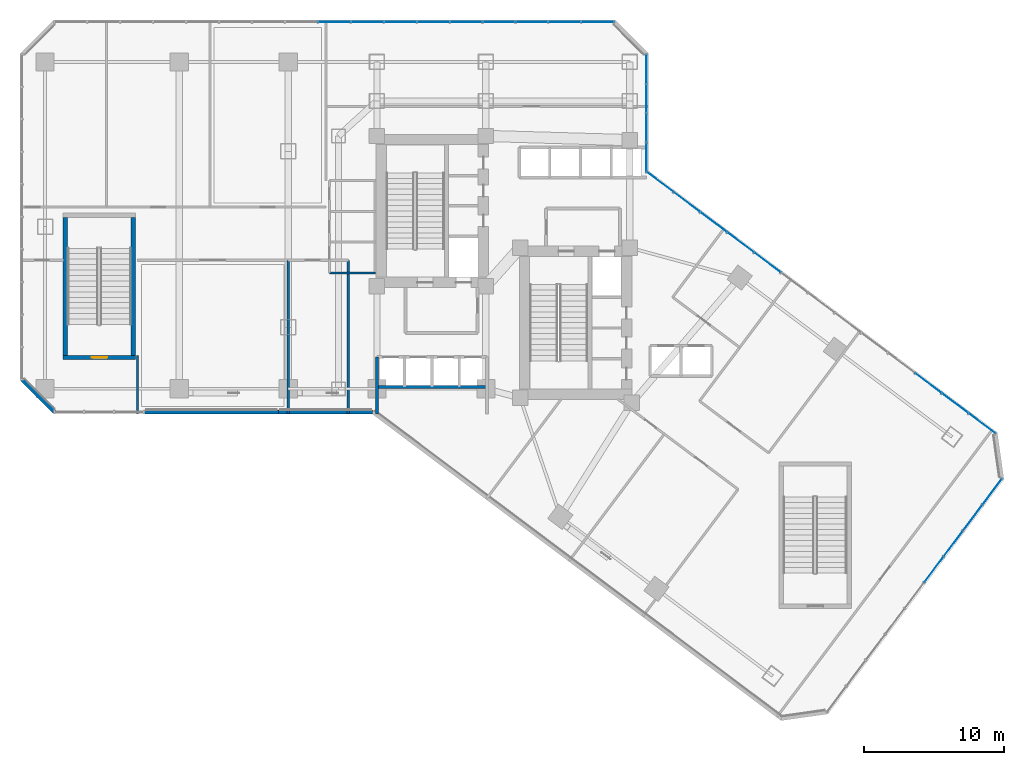
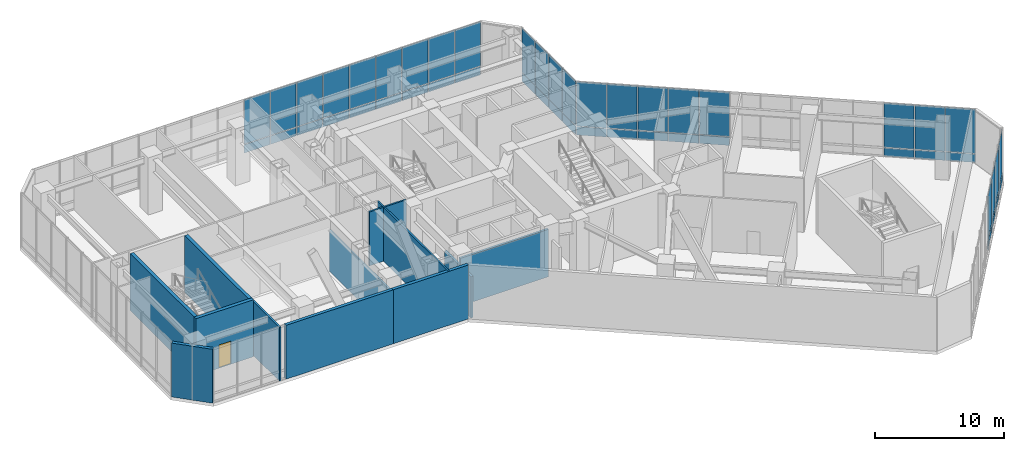
# One storey, part 26 of 35: 50 plates, 12 walls, 1 door, 1 opening, 4 elements without a shape of their own.
"""IFC4 building model written with IfcOpenShell, lengths in metres."""

import ifcopenshell
import ifcopenshell.guid

model = None  # the IFC model being written
_history = None  # IfcOwnerHistory: only IFC2X3 demands one
_inside = {}  # id of a spatial element -> (the spatial element, [elements in it])
_under = {}  # id of a project, library or spatial element -> (it, [spatial elements below it])
_declared = {}  # id of a project -> (the project, [libraries it declares])
_typed = {}  # id of a type object -> (the type object, [elements of that type])
_made_of = {}  # id of a material, layer set ... -> (it, [elements and type objects made of it])


def new_model(schema):
    """Start an empty IFC model of exactly this schema.

    Asked for "IFC4X3", IfcOpenShell would pick the latest addendum, in which some entities
    have other attributes; the version numbers below select the first issue.
    IFC2X3 requires an IfcOwnerHistory on every rooted entity: one is made here for all.
    """
    global model, _history
    if schema == "IFC4X3":
        model = ifcopenshell.file(schema_version=(4, 3, 0, 0))
    else:
        model = ifcopenshell.file(schema=schema)
    _inside.clear()
    _under.clear()
    _declared.clear()
    _typed.clear()
    _made_of.clear()
    _history = None
    if model.schema == "IFC2X3":
        org = make("IfcOrganization", Name="unknown")
        user = make(
            "IfcPersonAndOrganization",
            ThePerson=make("IfcPerson", FamilyName="unknown"),
            TheOrganization=org,
        )
        app = make(
            "IfcApplication",
            ApplicationDeveloper=org,
            Version="unknown",
            ApplicationFullName="unknown",
            ApplicationIdentifier="unknown",
        )
        _history = make(
            "IfcOwnerHistory",
            OwningUser=user,
            OwningApplication=app,
            ChangeAction="ADDED",
            CreationDate=0,
        )
    return model


def make(cls, **values):
    """One entity of the class cls with the attributes given. An attribute that is None is left unset."""
    return model.create_entity(
        cls, **{name: value for name, value in values.items() if value is not None}
    )


def rooted(cls, **values):
    """An entity with a GlobalId (a new one), such as an element, a storey or a relation."""
    return make(cls, GlobalId=ifcopenshell.guid.new(), OwnerHistory=_history, **values)


def si_unit(unit_type, name, prefix=None):
    """IfcSIUnit, for example si_unit("LENGTHUNIT", "METRE", prefix="MILLI")."""
    return make("IfcSIUnit", UnitType=unit_type, Prefix=prefix, Name=name)


def assignment(units):
    """IfcUnitAssignment: the units of a project."""
    return None if units is None else make("IfcUnitAssignment", Units=units)


def point(xyz):
    """IfcCartesianPoint."""
    return None if xyz is None else make("IfcCartesianPoint", Coordinates=xyz)


def direction(xyz):
    """IfcDirection."""
    return None if xyz is None else make("IfcDirection", DirectionRatios=xyz)


def frame(location, z_axis=None, x_axis=None):
    """IfcAxis2Placement3D, a coordinate frame: its origin and axes. An axis left out is left unset."""
    return make(
        "IfcAxis2Placement3D",
        Location=point(location),
        Axis=direction(z_axis),
        RefDirection=direction(x_axis),
    )


def frame_2d(location, x_axis=None):
    """IfcAxis2Placement2D, a coordinate frame in the plane: its origin and x axis."""
    return make(
        "IfcAxis2Placement2D", Location=point(location), RefDirection=direction(x_axis)
    )


def origin():
    """The frame at (0, 0, 0) with its axes left unset."""
    return frame((0.0, 0.0, 0.0))


def origin_2d():
    """The frame at (0, 0) in the plane with its x axis left unset."""
    return frame_2d((0.0, 0.0))


def place(relative_to, where):
    """IfcLocalPlacement: puts the frame where relative to a parent placement (None: the world)."""
    return make(
        "IfcLocalPlacement", PlacementRelTo=relative_to, RelativePlacement=where
    )


def context(
    kind, dimensions, precision=None, world=None, true_north=None, identifier=None
):
    """IfcGeometricRepresentationContext, for example the 3D "Model" context."""
    return make(
        "IfcGeometricRepresentationContext",
        ContextIdentifier=identifier,
        ContextType=kind,
        CoordinateSpaceDimension=dimensions,
        Precision=precision,
        WorldCoordinateSystem=world,
        TrueNorth=true_north,
    )


def subcontext(parent, identifier, kind, view, scale=None):
    """IfcGeometricRepresentationSubContext, for example "Body" below "Model"."""
    return make(
        "IfcGeometricRepresentationSubContext",
        ContextIdentifier=identifier,
        ContextType=kind,
        ParentContext=parent,
        TargetScale=scale,
        TargetView=view,
    )


def project(units=None, contexts=None):
    """IfcProject with its units and contexts."""
    return rooted(
        "IfcProject",
        Name="project",
        RepresentationContexts=contexts,
        UnitsInContext=assignment(units),
    )


def spatial(cls, under=None, at=None, **own):
    """A site, building, storey or space (cls), placed at a placement, below another one or the project."""
    s = rooted(cls, ObjectPlacement=at, **own)
    if under is not None:
        _under.setdefault(under.id(), (under, []))[1].append(s)
    return s


def profile(cls, at=None, kind="AREA", **sizes):
    """A parametric profile (cls). Its sizes go by their IFC names, for example OverallWidth=200.0."""
    return make(cls, ProfileType=kind, Position=at, **sizes)


def rectangle(**sizes):
    """IfcRectangleProfileDef."""
    return profile("IfcRectangleProfileDef", **sizes)


def extrude(swept, where, along, depth):
    """IfcExtrudedAreaSolid: the profile swept, set in the frame where, extruded along a direction by depth."""
    return make(
        "IfcExtrudedAreaSolid",
        SweptArea=swept,
        Position=where,
        ExtrudedDirection=direction(along),
        Depth=depth,
    )


def shape(context_of_items, identifier, shape_type, items):
    """IfcShapeRepresentation: the items that make up one representation, for example the "Body"."""
    return make(
        "IfcShapeRepresentation",
        ContextOfItems=context_of_items,
        RepresentationIdentifier=identifier,
        RepresentationType=shape_type,
        Items=items,
    )


def material(Name=None, Category=None):
    """IfcMaterial."""
    return make("IfcMaterial", Name=Name, Category=Category)


def layer(
    of_material, thickness, ventilated=None, Name=None, Category=None, Priority=None
):
    """IfcMaterialLayer: one layer of a wall or slab, of a material (None: an air gap)."""
    return make(
        "IfcMaterialLayer",
        Material=of_material,
        LayerThickness=thickness,
        IsVentilated=ventilated,
        Name=Name,
        Category=Category,
        Priority=Priority,
    )


def layer_set(layers, Name=None):
    """IfcMaterialLayerSet."""
    return make("IfcMaterialLayerSet", MaterialLayers=layers, LayerSetName=Name)


def made_of(thing, what):
    """Note that an element or type object is made of a material, layer set ...; save() writes the relation."""
    if what is not None:
        _made_of.setdefault(what.id(), (what, []))[1].append(thing)
    return thing


def type_object(cls, material=None, **own):
    """A type object (cls), such as IfcWallType, which elements share."""
    return made_of(rooted(cls, **own), material)


def element(
    cls,
    number,
    at=None,
    inside=None,
    cuts=None,
    type_object=None,
    material=None,
    context=None,
    identifier="Body",
    shape_type=None,
    held_by="IfcProductDefinitionShape",
    body=None,
    shapes=None,
    **own,
):
    """One element of the class cls, such as IfcWall. Its Tag is "e" and its number.

    at: its placement. inside: the storey or other place that contains it. cuts: it is an
    opening in that element (IfcRelVoidsElement). A single representation is given by context,
    identifier, shape_type and body (its items); several are given by shapes. held_by: the class
    of the entity that holds the representations. save() writes the other relations.
    """
    e = rooted(cls, Tag="e%d" % number, ObjectPlacement=at, **own)
    if body is not None:
        shapes = [shape(context, identifier, shape_type, body)]
    if shapes is not None:
        e.Representation = make(held_by, Representations=shapes)
    if inside is not None:
        _inside.setdefault(inside.id(), (inside, []))[1].append(e)
    if cuts is not None:
        rooted(
            "IfcRelVoidsElement", RelatingBuildingElement=cuts, RelatedOpeningElement=e
        )
    if type_object is not None:
        _typed.setdefault(type_object.id(), (type_object, []))[1].append(e)
    return made_of(e, material)


def fill(opening, filler):
    """IfcRelFillsElement: the door or window that sits in an opening."""
    return rooted(
        "IfcRelFillsElement",
        RelatingOpeningElement=opening,
        RelatedBuildingElement=filler,
    )


def aggregate(whole, parts):
    """IfcRelAggregates: a whole, such as a stair, and the parts it consists of."""
    return rooted("IfcRelAggregates", RelatingObject=whole, RelatedObjects=parts)


def save(model, path):
    """Write the relations noted so far, then the file.

    IfcRelAggregates (storeys below a building ...), IfcRelContainedInSpatialStructure (elements
    in a storey), IfcRelDefinesByType, IfcRelAssociatesMaterial and IfcRelDeclares: one each for
    every whole, place, type object, material and project.
    """
    for whole, parts in _under.values():
        aggregate(whole, parts)
    for where, things in _inside.values():
        rooted(
            "IfcRelContainedInSpatialStructure",
            RelatedElements=things,
            RelatingStructure=where,
        )
    for kind, things in _typed.values():
        rooted("IfcRelDefinesByType", RelatedObjects=things, RelatingType=kind)
    for what, things in _made_of.values():
        rooted("IfcRelAssociatesMaterial", RelatedObjects=things, RelatingMaterial=what)
    for by, libraries in _declared.values():
        rooted("IfcRelDeclares", RelatingContext=by, RelatedDefinitions=libraries)
    model.write(path)


model = new_model("IFC4")

# Units and contexts
model_context = context("Model", 3, precision=1e-05, world=origin(), true_north=direction((0.0, 1.0)))
body_context = subcontext(model_context, "Body", "Model", "MODEL_VIEW")
ifc_project = project(units=[si_unit("LENGTHUNIT", "METRE"), si_unit("AREAUNIT", "SQUARE_METRE"), si_unit("VOLUMEUNIT", "CUBIC_METRE"), si_unit("PLANEANGLEUNIT", "RADIAN"), si_unit("MASSUNIT", "GRAM", prefix="KILO")], contexts=[model_context])

# Site, building, storey
site_placement = place(None, origin())
site = spatial("IfcSite", under=ifc_project, at=site_placement, CompositionType="ELEMENT")
building_placement = place(site_placement, origin())
building = spatial("IfcBuilding", under=site, at=building_placement, Name="Hatsunagi Terrace Concourse", CompositionType="ELEMENT")
storey_placement = place(building_placement, frame((0.0, 0.0, 10.800048828125)))
storey = spatial("IfcBuildingStorey", under=building, at=storey_placement, Name="L03", CompositionType="ELEMENT", Elevation=10.800048828125)

# Curtain wall, plates
ifc_material_1 = material(Name="Anodised Aluminium Alloy 6063-T5", Category="aluminium")
ifc_layer_1 = layer(ifc_material_1, 0.199951171875)
ifc_layer_set_1 = layer_set([ifc_layer_1], Name="PodiumStorefront_CW01")
curtain_wall_type = type_object("IfcCurtainWallType", Name="PodiumStorefront_CW01", PredefinedType="NOTDEFINED", material=ifc_layer_set_1)
curtain_wall_1_placement = place(storey_placement, origin())
curtain_wall_1 = element("IfcCurtainWall", 1, at=curtain_wall_1_placement, inside=storey, type_object=curtain_wall_type, Name="Unitised Curtain Wall CW-01 CW-L03-01", PredefinedType="NOTDEFINED")
ifc_material_2 = material(Name="Warm Terracotta Ceramic Spandrel Panel", Category="masonry")
ifc_layer_2 = layer(ifc_material_2, 0.031982421875)
ifc_layer_set_2 = layer_set([ifc_layer_2], Name="CurtainWallSpandrelPanel_32")
plate_type_1 = type_object("IfcPlateType", Name="CurtainWallSpandrelPanel_32", PredefinedType="SHEET", material=ifc_layer_set_2)
plate_1_placement = place(storey_placement, frame((45.820068359375, 40.010009765625, 0.030029296875), z_axis=(0.0, 0.0, 1.0), x_axis=(0.800007305671, -0.599990258982, 0.0)))
plate_1 = element("IfcPlate", 2, at=plate_1_placement, type_object=plate_type_1, Name="Terracotta Spandrel Panel SPN-01", PredefinedType="SHEET", context=body_context, shape_type="SweptSolid", body=[
    extrude(rectangle(XDim=2.345947265625, YDim=0.031982421875, at=origin_2d()), origin(), (0.0, 0.0, 1.0), 0.7900390625),
])
plate_2_placement = place(storey_placement, frame((47.740966796875, 38.569091796875, 0.030029296875), z_axis=(0.0, 0.0, 1.0), x_axis=(0.800007305671, -0.599990258982, 0.0)))
plate_2 = element("IfcPlate", 3, at=plate_2_placement, type_object=plate_type_1, Name="Terracotta Spandrel Panel SPN-01", PredefinedType="SHEET", context=body_context, shape_type="SweptSolid", body=[
    extrude(rectangle(XDim=2.345947265625, YDim=0.031982421875, at=origin_2d()), origin(), (0.0, 0.0, 1.0), 0.7900390625),
])
plate_3_placement = place(storey_placement, frame((49.662109375, 37.12890625, 0.030029296875), z_axis=(0.0, 0.0, 1.0), x_axis=(0.800007305671, -0.599990258982, 0.0)))
plate_3 = element("IfcPlate", 4, at=plate_3_placement, type_object=plate_type_1, Name="Terracotta Spandrel Panel SPN-01", PredefinedType="SHEET", context=body_context, shape_type="SweptSolid", body=[
    extrude(rectangle(XDim=2.345947265625, YDim=0.031982421875, at=origin_2d()), origin(), (0.0, 0.0, 1.0), 0.7900390625),
])
plate_4_placement = place(storey_placement, frame((51.5830078125, 35.68798828125, 0.030029296875), z_axis=(0.0, 0.0, 1.0), x_axis=(0.800007305671, -0.599990258982, 0.0)))
plate_4 = element("IfcPlate", 5, at=plate_4_placement, type_object=plate_type_1, Name="Terracotta Spandrel Panel SPN-01", PredefinedType="SHEET", context=body_context, shape_type="SweptSolid", body=[
    extrude(rectangle(XDim=2.345947265625, YDim=0.031982421875, at=origin_2d()), origin(), (0.0, 0.0, 1.0), 0.7900390625),
])
plate_5_placement = place(storey_placement, frame((53.5029296875, 34.248046875, 0.030029296875), z_axis=(0.0, 0.0, 1.0), x_axis=(0.800007305671, -0.599990258982, 0.0)))
plate_5 = element("IfcPlate", 6, at=plate_5_placement, type_object=plate_type_1, Name="Terracotta Spandrel Panel SPN-01", PredefinedType="SHEET", context=body_context, shape_type="SweptSolid", body=[
    extrude(rectangle(XDim=2.345947265625, YDim=0.031982421875, at=origin_2d()), origin(), (0.0, 0.0, 1.0), 0.7900390625),
])
plate_6_placement = place(storey_placement, frame((65.028076171875, 25.60400390625, 0.030029296875), z_axis=(0.0, 0.0, 1.0), x_axis=(0.800007305671, -0.599990258982, 0.0)))
plate_6 = element("IfcPlate", 7, at=plate_6_placement, type_object=plate_type_1, Name="Terracotta Spandrel Panel SPN-01", PredefinedType="SHEET", context=body_context, shape_type="SweptSolid", body=[
    extrude(rectangle(XDim=2.345947265625, YDim=0.031982421875, at=origin_2d()), origin(), (0.0, 0.0, 1.0), 0.7900390625),
])
plate_7_placement = place(storey_placement, frame((66.948974609375, 24.1640625, 0.030029296875), z_axis=(0.0, 0.0, 1.0), x_axis=(0.800007305671, -0.599990258982, 0.0)))
plate_7 = element("IfcPlate", 8, at=plate_7_placement, type_object=plate_type_1, Name="Terracotta Spandrel Panel SPN-01", PredefinedType="SHEET", context=body_context, shape_type="SweptSolid", body=[
    extrude(rectangle(XDim=2.345947265625, YDim=0.031982421875, at=origin_2d()), origin(), (0.0, 0.0, 1.0), 0.7900390625),
])
plate_8_placement = place(storey_placement, frame((68.8701171875, 22.722900390625, 0.030029296875), z_axis=(0.0, 0.0, 1.0), x_axis=(0.800007305671, -0.599990258982, 0.0)))
plate_8 = element("IfcPlate", 9, at=plate_8_placement, type_object=plate_type_1, Name="Terracotta Spandrel Panel SPN-01", PredefinedType="SHEET", context=body_context, shape_type="SweptSolid", body=[
    extrude(rectangle(XDim=2.345947265625, YDim=0.031982421875, at=origin_2d()), origin(), (0.0, 0.0, 1.0), 0.7900390625),
])

curtain_wall_2_placement = place(storey_placement, origin())
curtain_wall_2 = element("IfcCurtainWall", 10, at=curtain_wall_2_placement, inside=storey, type_object=curtain_wall_type, Name="Unitised Curtain Wall CW-01 CW-L03-03", PredefinedType="NOTDEFINED")
plate_9_placement = place(storey_placement, frame((69.596923828125, 17.830078125, 0.030029296875), z_axis=(0.0, 0.0, 1.0), x_axis=(-0.599969314634, -0.800023013105, 0.0)))
plate_9 = element("IfcPlate", 11, at=plate_9_placement, type_object=plate_type_1, Name="Terracotta Spandrel Panel SPN-01", PredefinedType="SHEET", context=body_context, shape_type="SweptSolid", body=[
    extrude(rectangle(XDim=2.264892578125, YDim=0.031982421875, at=origin_2d()), origin(), (0.0, 0.0, 1.0), 0.7900390625),
])
plate_10_placement = place(storey_placement, frame((68.205078125, 15.972900390625, 0.030029296875), z_axis=(0.0, 0.0, 1.0), x_axis=(-0.599969314634, -0.800023013105, 0.0)))
plate_10 = element("IfcPlate", 12, at=plate_10_placement, type_object=plate_type_1, Name="Terracotta Spandrel Panel SPN-01", PredefinedType="SHEET", context=body_context, shape_type="SweptSolid", body=[
    extrude(rectangle(XDim=2.264892578125, YDim=0.031982421875, at=origin_2d()), origin(), (0.0, 0.0, 1.0), 0.7900390625),
])
plate_11_placement = place(storey_placement, frame((66.81201171875, 14.116943359375, 0.030029296875), z_axis=(0.0, 0.0, 1.0), x_axis=(-0.599969314634, -0.800023013105, 0.0)))
plate_11 = element("IfcPlate", 13, at=plate_11_placement, type_object=plate_type_1, Name="Terracotta Spandrel Panel SPN-01", PredefinedType="SHEET", context=body_context, shape_type="SweptSolid", body=[
    extrude(rectangle(XDim=2.264892578125, YDim=0.031982421875, at=origin_2d()), origin(), (0.0, 0.0, 1.0), 0.7900390625),
])
plate_12_placement = place(storey_placement, frame((65.419921875, 12.260009765625, 0.030029296875), z_axis=(0.0, 0.0, 1.0), x_axis=(-0.599969314634, -0.800023013105, 0.0)))
plate_12 = element("IfcPlate", 14, at=plate_12_placement, type_object=plate_type_1, Name="Terracotta Spandrel Panel SPN-01", PredefinedType="SHEET", context=body_context, shape_type="SweptSolid", body=[
    extrude(rectangle(XDim=2.264892578125, YDim=0.031982421875, at=origin_2d()), origin(), (0.0, 0.0, 1.0), 0.7900390625),
])

curtain_wall_3_placement = place(storey_placement, origin())
curtain_wall_3 = element("IfcCurtainWall", 15, at=curtain_wall_3_placement, inside=storey, type_object=curtain_wall_type, Name="Unitised Curtain Wall CW-01 CW-L03-12", PredefinedType="NOTDEFINED")
plate_13_placement = place(storey_placement, frame((22.5, 51.4599609375, 0.030029296875), z_axis=(0.0, 0.0, 1.0), x_axis=(1.0, 0.0, 0.0)))
plate_13 = element("IfcPlate", 16, at=plate_13_placement, type_object=plate_type_1, Name="Terracotta Spandrel Panel SPN-01", PredefinedType="SHEET", context=body_context, shape_type="SweptSolid", body=[
    extrude(rectangle(XDim=2.302978515625, YDim=0.031982421875, at=origin_2d()), origin(), (0.0, 0.0, 1.0), 0.7900390625),
])
plate_14_placement = place(storey_placement, frame((24.85791015625, 51.4599609375, 0.030029296875), z_axis=(0.0, 0.0, 1.0), x_axis=(1.0, 0.0, 0.0)))
plate_14 = element("IfcPlate", 17, at=plate_14_placement, type_object=plate_type_1, Name="Terracotta Spandrel Panel SPN-01", PredefinedType="SHEET", context=body_context, shape_type="SweptSolid", body=[
    extrude(rectangle(XDim=2.302978515625, YDim=0.031982421875, at=origin_2d()), origin(), (0.0, 0.0, 1.0), 0.7900390625),
])
plate_15_placement = place(storey_placement, frame((27.216064453125, 51.4599609375, 0.030029296875), z_axis=(0.0, 0.0, 1.0), x_axis=(1.0, 0.0, 0.0)))
plate_15 = element("IfcPlate", 18, at=plate_15_placement, type_object=plate_type_1, Name="Terracotta Spandrel Panel SPN-01", PredefinedType="SHEET", context=body_context, shape_type="SweptSolid", body=[
    extrude(rectangle(XDim=2.302978515625, YDim=0.031982421875, at=origin_2d()), origin(), (0.0, 0.0, 1.0), 0.7900390625),
])
plate_16_placement = place(storey_placement, frame((29.573974609375, 51.4599609375, 0.030029296875), z_axis=(0.0, 0.0, 1.0), x_axis=(1.0, 0.0, 0.0)))
plate_16 = element("IfcPlate", 19, at=plate_16_placement, type_object=plate_type_1, Name="Terracotta Spandrel Panel SPN-01", PredefinedType="SHEET", context=body_context, shape_type="SweptSolid", body=[
    extrude(rectangle(XDim=2.302978515625, YDim=0.031982421875, at=origin_2d()), origin(), (0.0, 0.0, 1.0), 0.7900390625),
])
plate_17_placement = place(storey_placement, frame((31.931884765625, 51.4599609375, 0.030029296875), z_axis=(0.0, 0.0, 1.0), x_axis=(1.0, 0.0, 0.0)))
plate_17 = element("IfcPlate", 20, at=plate_17_placement, type_object=plate_type_1, Name="Terracotta Spandrel Panel SPN-01", PredefinedType="SHEET", context=body_context, shape_type="SweptSolid", body=[
    extrude(rectangle(XDim=2.302978515625, YDim=0.031982421875, at=origin_2d()), origin(), (0.0, 0.0, 1.0), 0.7900390625),
])
plate_18_placement = place(storey_placement, frame((34.2890625, 51.4599609375, 0.030029296875), z_axis=(0.0, 0.0, 1.0), x_axis=(1.0, 0.0, 0.0)))
plate_18 = element("IfcPlate", 21, at=plate_18_placement, type_object=plate_type_1, Name="Terracotta Spandrel Panel SPN-01", PredefinedType="SHEET", context=body_context, shape_type="SweptSolid", body=[
    extrude(rectangle(XDim=2.302978515625, YDim=0.031982421875, at=origin_2d()), origin(), (0.0, 0.0, 1.0), 0.7900390625),
])
plate_19_placement = place(storey_placement, frame((36.64697265625, 51.4599609375, 0.030029296875), z_axis=(0.0, 0.0, 1.0), x_axis=(1.0, 0.0, 0.0)))
plate_19 = element("IfcPlate", 22, at=plate_19_placement, type_object=plate_type_1, Name="Terracotta Spandrel Panel SPN-01", PredefinedType="SHEET", context=body_context, shape_type="SweptSolid", body=[
    extrude(rectangle(XDim=2.302978515625, YDim=0.031982421875, at=origin_2d()), origin(), (0.0, 0.0, 1.0), 0.7900390625),
])
plate_20_placement = place(storey_placement, frame((39.0048828125, 51.4599609375, 0.030029296875), z_axis=(0.0, 0.0, 1.0), x_axis=(1.0, 0.0, 0.0)))
plate_20 = element("IfcPlate", 23, at=plate_20_placement, type_object=plate_type_1, Name="Terracotta Spandrel Panel SPN-01", PredefinedType="SHEET", context=body_context, shape_type="SweptSolid", body=[
    extrude(rectangle(XDim=2.302978515625, YDim=0.031982421875, at=origin_2d()), origin(), (0.0, 0.0, 1.0), 0.7900390625),
])
plate_21_placement = place(storey_placement, frame((41.363037109375, 51.4599609375, 0.030029296875), z_axis=(0.0, 0.0, 1.0), x_axis=(1.0, 0.0, 0.0)))
plate_21 = element("IfcPlate", 24, at=plate_21_placement, type_object=plate_type_1, Name="Terracotta Spandrel Panel SPN-01", PredefinedType="SHEET", context=body_context, shape_type="SweptSolid", body=[
    extrude(rectangle(XDim=2.302978515625, YDim=0.031982421875, at=origin_2d()), origin(), (0.0, 0.0, 1.0), 0.7900390625),
])

curtain_wall_4_placement = place(storey_placement, origin())
curtain_wall_4 = element("IfcCurtainWall", 25, at=curtain_wall_4_placement, inside=storey, type_object=curtain_wall_type, Name="Unitised Curtain Wall CW-01 CW-L03-14", PredefinedType="NOTDEFINED")
plate_22_placement = place(storey_placement, frame((44.860107421875, 48.091064453125, 0.030029296875), z_axis=(0.0, 0.0, 1.0), x_axis=(0.0, -1.0, 0.0)))
plate_22 = element("IfcPlate", 26, at=plate_22_placement, type_object=plate_type_1, Name="Terracotta Spandrel Panel SPN-01", PredefinedType="SHEET", context=body_context, shape_type="SweptSolid", body=[
    extrude(rectangle(XDim=2.048095703125, YDim=0.031982421875, at=origin_2d()), origin(), (0.0, 0.0, 1.0), 0.7900390625),
])
plate_23_placement = place(storey_placement, frame((44.860107421875, 45.987060546875, 0.030029296875), z_axis=(0.0, 0.0, 1.0), x_axis=(0.0, -1.0, 0.0)))
plate_23 = element("IfcPlate", 27, at=plate_23_placement, type_object=plate_type_1, Name="Terracotta Spandrel Panel SPN-01", PredefinedType="SHEET", context=body_context, shape_type="SweptSolid", body=[
    extrude(rectangle(XDim=2.048095703125, YDim=0.031982421875, at=origin_2d()), origin(), (0.0, 0.0, 1.0), 0.7900390625),
])
plate_24_placement = place(storey_placement, frame((44.860107421875, 43.885009765625, 0.030029296875), z_axis=(0.0, 0.0, 1.0), x_axis=(0.0, -1.0, 0.0)))
plate_24 = element("IfcPlate", 28, at=plate_24_placement, type_object=plate_type_1, Name="Terracotta Spandrel Panel SPN-01", PredefinedType="SHEET", context=body_context, shape_type="SweptSolid", body=[
    extrude(rectangle(XDim=2.048095703125, YDim=0.031982421875, at=origin_2d()), origin(), (0.0, 0.0, 1.0), 0.7900390625),
])
plate_25_placement = place(storey_placement, frame((44.860107421875, 41.781005859375, 0.030029296875), z_axis=(0.0, 0.0, 1.0), x_axis=(0.0, -1.0, 0.0)))
plate_25 = element("IfcPlate", 29, at=plate_25_placement, type_object=plate_type_1, Name="Terracotta Spandrel Panel SPN-01", PredefinedType="SHEET", context=body_context, shape_type="SweptSolid", body=[
    extrude(rectangle(XDim=2.048095703125, YDim=0.031982421875, at=origin_2d()), origin(), (0.0, 0.0, 1.0), 0.7900390625),
])

# Plate
ifc_material_3 = material(Name="Low-E Double Insulating Glass 28mm", Category="glass")
ifc_layer_3 = layer(ifc_material_3, 0.028076171875)
ifc_layer_set_3 = layer_set([ifc_layer_3], Name="CurtainWallVisionGlass_28")
plate_type_2 = type_object("IfcPlateType", Name="CurtainWallVisionGlass_28", PredefinedType="CURTAIN_PANEL", material=ifc_layer_set_3)
plate_26_placement = place(storey_placement, frame((45.820068359375, 40.010009765625, 0.8798828125), z_axis=(0.0, 0.0, 1.0), x_axis=(0.800007305671, -0.599990258982, 0.0)))
plate_26 = element("IfcPlate", 30, at=plate_26_placement, type_object=plate_type_2, Name="Low-E Vision Glass Panel GLZ-01", PredefinedType="CURTAIN_PANEL", context=body_context, shape_type="SweptSolid", body=[
    extrude(rectangle(XDim=2.345947265625, YDim=0.028076171875, at=origin_2d()), origin(), (0.0, 0.0, 1.0), 4.18994140625),
])

plate_27_placement = place(storey_placement, frame((47.740966796875, 38.569091796875, 0.8798828125), z_axis=(0.0, 0.0, 1.0), x_axis=(0.800007305671, -0.599990258982, 0.0)))
plate_27 = element("IfcPlate", 31, at=plate_27_placement, type_object=plate_type_2, Name="Low-E Vision Glass Panel GLZ-01", PredefinedType="CURTAIN_PANEL", context=body_context, shape_type="SweptSolid", body=[
    extrude(rectangle(XDim=2.345947265625, YDim=0.028076171875, at=origin_2d()), origin(), (0.0, 0.0, 1.0), 4.18994140625),
])

plate_28_placement = place(storey_placement, frame((49.662109375, 37.12890625, 0.8798828125), z_axis=(0.0, 0.0, 1.0), x_axis=(0.800007305671, -0.599990258982, 0.0)))
plate_28 = element("IfcPlate", 32, at=plate_28_placement, type_object=plate_type_2, Name="Low-E Vision Glass Panel GLZ-01", PredefinedType="CURTAIN_PANEL", context=body_context, shape_type="SweptSolid", body=[
    extrude(rectangle(XDim=2.345947265625, YDim=0.028076171875, at=origin_2d()), origin(), (0.0, 0.0, 1.0), 4.18994140625),
])

plate_29_placement = place(storey_placement, frame((51.5830078125, 35.68798828125, 0.8798828125), z_axis=(0.0, 0.0, 1.0), x_axis=(0.800007305671, -0.599990258982, 0.0)))
plate_29 = element("IfcPlate", 33, at=plate_29_placement, type_object=plate_type_2, Name="Low-E Vision Glass Panel GLZ-01", PredefinedType="CURTAIN_PANEL", context=body_context, shape_type="SweptSolid", body=[
    extrude(rectangle(XDim=2.345947265625, YDim=0.028076171875, at=origin_2d()), origin(), (0.0, 0.0, 1.0), 4.18994140625),
])

plate_30_placement = place(storey_placement, frame((53.5029296875, 34.248046875, 0.8798828125), z_axis=(0.0, 0.0, 1.0), x_axis=(0.800007305671, -0.599990258982, 0.0)))
plate_30 = element("IfcPlate", 34, at=plate_30_placement, type_object=plate_type_2, Name="Low-E Vision Glass Panel GLZ-01", PredefinedType="CURTAIN_PANEL", context=body_context, shape_type="SweptSolid", body=[
    extrude(rectangle(XDim=2.345947265625, YDim=0.028076171875, at=origin_2d()), origin(), (0.0, 0.0, 1.0), 4.18994140625),
])

plate_31_placement = place(storey_placement, frame((65.028076171875, 25.60400390625, 0.8798828125), z_axis=(0.0, 0.0, 1.0), x_axis=(0.800007305671, -0.599990258982, 0.0)))
plate_31 = element("IfcPlate", 35, at=plate_31_placement, type_object=plate_type_2, Name="Low-E Vision Glass Panel GLZ-01", PredefinedType="CURTAIN_PANEL", context=body_context, shape_type="SweptSolid", body=[
    extrude(rectangle(XDim=2.345947265625, YDim=0.028076171875, at=origin_2d()), origin(), (0.0, 0.0, 1.0), 4.18994140625),
])

plate_32_placement = place(storey_placement, frame((66.948974609375, 24.1640625, 0.8798828125), z_axis=(0.0, 0.0, 1.0), x_axis=(0.800007305671, -0.599990258982, 0.0)))
plate_32 = element("IfcPlate", 36, at=plate_32_placement, type_object=plate_type_2, Name="Low-E Vision Glass Panel GLZ-01", PredefinedType="CURTAIN_PANEL", context=body_context, shape_type="SweptSolid", body=[
    extrude(rectangle(XDim=2.345947265625, YDim=0.028076171875, at=origin_2d()), origin(), (0.0, 0.0, 1.0), 4.18994140625),
])

plate_33_placement = place(storey_placement, frame((68.8701171875, 22.722900390625, 0.8798828125), z_axis=(0.0, 0.0, 1.0), x_axis=(0.800007305671, -0.599990258982, 0.0)))
plate_33 = element("IfcPlate", 37, at=plate_33_placement, type_object=plate_type_2, Name="Low-E Vision Glass Panel GLZ-01", PredefinedType="CURTAIN_PANEL", context=body_context, shape_type="SweptSolid", body=[
    extrude(rectangle(XDim=2.345947265625, YDim=0.028076171875, at=origin_2d()), origin(), (0.0, 0.0, 1.0), 4.18994140625),
])

aggregate(curtain_wall_1, [plate_1, plate_26, plate_2, plate_27, plate_3, plate_28, plate_4, plate_29, plate_5, plate_30, plate_6, plate_31, plate_7, plate_32, plate_8, plate_33])

plate_34_placement = place(storey_placement, frame((69.596923828125, 17.830078125, 0.8798828125), z_axis=(0.0, 0.0, 1.0), x_axis=(-0.599969314634, -0.800023013105, 0.0)))
plate_34 = element("IfcPlate", 38, at=plate_34_placement, type_object=plate_type_2, Name="Low-E Vision Glass Panel GLZ-01", PredefinedType="CURTAIN_PANEL", context=body_context, shape_type="SweptSolid", body=[
    extrude(rectangle(XDim=2.264892578125, YDim=0.028076171875, at=origin_2d()), origin(), (0.0, 0.0, 1.0), 4.18994140625),
])

plate_35_placement = place(storey_placement, frame((68.205078125, 15.972900390625, 0.8798828125), z_axis=(0.0, 0.0, 1.0), x_axis=(-0.599969314634, -0.800023013105, 0.0)))
plate_35 = element("IfcPlate", 39, at=plate_35_placement, type_object=plate_type_2, Name="Low-E Vision Glass Panel GLZ-01", PredefinedType="CURTAIN_PANEL", context=body_context, shape_type="SweptSolid", body=[
    extrude(rectangle(XDim=2.264892578125, YDim=0.028076171875, at=origin_2d()), origin(), (0.0, 0.0, 1.0), 4.18994140625),
])

plate_36_placement = place(storey_placement, frame((66.81201171875, 14.116943359375, 0.8798828125), z_axis=(0.0, 0.0, 1.0), x_axis=(-0.599969314634, -0.800023013105, 0.0)))
plate_36 = element("IfcPlate", 40, at=plate_36_placement, type_object=plate_type_2, Name="Low-E Vision Glass Panel GLZ-01", PredefinedType="CURTAIN_PANEL", context=body_context, shape_type="SweptSolid", body=[
    extrude(rectangle(XDim=2.264892578125, YDim=0.028076171875, at=origin_2d()), origin(), (0.0, 0.0, 1.0), 4.18994140625),
])

plate_37_placement = place(storey_placement, frame((65.419921875, 12.260009765625, 0.8798828125), z_axis=(0.0, 0.0, 1.0), x_axis=(-0.599969314634, -0.800023013105, 0.0)))
plate_37 = element("IfcPlate", 41, at=plate_37_placement, type_object=plate_type_2, Name="Low-E Vision Glass Panel GLZ-01", PredefinedType="CURTAIN_PANEL", context=body_context, shape_type="SweptSolid", body=[
    extrude(rectangle(XDim=2.264892578125, YDim=0.028076171875, at=origin_2d()), origin(), (0.0, 0.0, 1.0), 4.18994140625),
])

aggregate(curtain_wall_2, [plate_9, plate_34, plate_10, plate_35, plate_11, plate_36, plate_12, plate_37])

plate_38_placement = place(storey_placement, frame((22.5, 51.4599609375, 0.8798828125), z_axis=(0.0, 0.0, 1.0), x_axis=(1.0, 0.0, 0.0)))
plate_38 = element("IfcPlate", 42, at=plate_38_placement, type_object=plate_type_2, Name="Low-E Vision Glass Panel GLZ-01", PredefinedType="CURTAIN_PANEL", context=body_context, shape_type="SweptSolid", body=[
    extrude(rectangle(XDim=2.302978515625, YDim=0.028076171875, at=origin_2d()), origin(), (0.0, 0.0, 1.0), 4.18994140625),
])

plate_39_placement = place(storey_placement, frame((24.85791015625, 51.4599609375, 0.8798828125), z_axis=(0.0, 0.0, 1.0), x_axis=(1.0, 0.0, 0.0)))
plate_39 = element("IfcPlate", 43, at=plate_39_placement, type_object=plate_type_2, Name="Low-E Vision Glass Panel GLZ-01", PredefinedType="CURTAIN_PANEL", context=body_context, shape_type="SweptSolid", body=[
    extrude(rectangle(XDim=2.302978515625, YDim=0.028076171875, at=origin_2d()), origin(), (0.0, 0.0, 1.0), 4.18994140625),
])

plate_40_placement = place(storey_placement, frame((27.216064453125, 51.4599609375, 0.8798828125), z_axis=(0.0, 0.0, 1.0), x_axis=(1.0, 0.0, 0.0)))
plate_40 = element("IfcPlate", 44, at=plate_40_placement, type_object=plate_type_2, Name="Low-E Vision Glass Panel GLZ-01", PredefinedType="CURTAIN_PANEL", context=body_context, shape_type="SweptSolid", body=[
    extrude(rectangle(XDim=2.302978515625, YDim=0.028076171875, at=origin_2d()), origin(), (0.0, 0.0, 1.0), 4.18994140625),
])

plate_41_placement = place(storey_placement, frame((29.573974609375, 51.4599609375, 0.8798828125), z_axis=(0.0, 0.0, 1.0), x_axis=(1.0, 0.0, 0.0)))
plate_41 = element("IfcPlate", 45, at=plate_41_placement, type_object=plate_type_2, Name="Low-E Vision Glass Panel GLZ-01", PredefinedType="CURTAIN_PANEL", context=body_context, shape_type="SweptSolid", body=[
    extrude(rectangle(XDim=2.302978515625, YDim=0.028076171875, at=origin_2d()), origin(), (0.0, 0.0, 1.0), 4.18994140625),
])

plate_42_placement = place(storey_placement, frame((31.931884765625, 51.4599609375, 0.8798828125), z_axis=(0.0, 0.0, 1.0), x_axis=(1.0, 0.0, 0.0)))
plate_42 = element("IfcPlate", 46, at=plate_42_placement, type_object=plate_type_2, Name="Low-E Vision Glass Panel GLZ-01", PredefinedType="CURTAIN_PANEL", context=body_context, shape_type="SweptSolid", body=[
    extrude(rectangle(XDim=2.302978515625, YDim=0.028076171875, at=origin_2d()), origin(), (0.0, 0.0, 1.0), 4.18994140625),
])

plate_43_placement = place(storey_placement, frame((34.2890625, 51.4599609375, 0.8798828125), z_axis=(0.0, 0.0, 1.0), x_axis=(1.0, 0.0, 0.0)))
plate_43 = element("IfcPlate", 47, at=plate_43_placement, type_object=plate_type_2, Name="Low-E Vision Glass Panel GLZ-01", PredefinedType="CURTAIN_PANEL", context=body_context, shape_type="SweptSolid", body=[
    extrude(rectangle(XDim=2.302978515625, YDim=0.028076171875, at=origin_2d()), origin(), (0.0, 0.0, 1.0), 4.18994140625),
])

plate_44_placement = place(storey_placement, frame((36.64697265625, 51.4599609375, 0.8798828125), z_axis=(0.0, 0.0, 1.0), x_axis=(1.0, 0.0, 0.0)))
plate_44 = element("IfcPlate", 48, at=plate_44_placement, type_object=plate_type_2, Name="Low-E Vision Glass Panel GLZ-01", PredefinedType="CURTAIN_PANEL", context=body_context, shape_type="SweptSolid", body=[
    extrude(rectangle(XDim=2.302978515625, YDim=0.028076171875, at=origin_2d()), origin(), (0.0, 0.0, 1.0), 4.18994140625),
])

plate_45_placement = place(storey_placement, frame((39.0048828125, 51.4599609375, 0.8798828125), z_axis=(0.0, 0.0, 1.0), x_axis=(1.0, 0.0, 0.0)))
plate_45 = element("IfcPlate", 49, at=plate_45_placement, type_object=plate_type_2, Name="Low-E Vision Glass Panel GLZ-01", PredefinedType="CURTAIN_PANEL", context=body_context, shape_type="SweptSolid", body=[
    extrude(rectangle(XDim=2.302978515625, YDim=0.028076171875, at=origin_2d()), origin(), (0.0, 0.0, 1.0), 4.18994140625),
])

plate_46_placement = place(storey_placement, frame((41.363037109375, 51.4599609375, 0.8798828125), z_axis=(0.0, 0.0, 1.0), x_axis=(1.0, 0.0, 0.0)))
plate_46 = element("IfcPlate", 50, at=plate_46_placement, type_object=plate_type_2, Name="Low-E Vision Glass Panel GLZ-01", PredefinedType="CURTAIN_PANEL", context=body_context, shape_type="SweptSolid", body=[
    extrude(rectangle(XDim=2.302978515625, YDim=0.028076171875, at=origin_2d()), origin(), (0.0, 0.0, 1.0), 4.18994140625),
])

aggregate(curtain_wall_3, [plate_13, plate_38, plate_14, plate_39, plate_15, plate_40, plate_16, plate_41, plate_17, plate_42, plate_18, plate_43, plate_19, plate_44, plate_20, plate_45, plate_21, plate_46])

plate_47_placement = place(storey_placement, frame((44.860107421875, 48.091064453125, 0.8798828125), z_axis=(0.0, 0.0, 1.0), x_axis=(0.0, -1.0, 0.0)))
plate_47 = element("IfcPlate", 51, at=plate_47_placement, type_object=plate_type_2, Name="Low-E Vision Glass Panel GLZ-01", PredefinedType="CURTAIN_PANEL", context=body_context, shape_type="SweptSolid", body=[
    extrude(rectangle(XDim=2.048095703125, YDim=0.028076171875, at=origin_2d()), origin(), (0.0, 0.0, 1.0), 4.18994140625),
])

plate_48_placement = place(storey_placement, frame((44.860107421875, 45.987060546875, 0.8798828125), z_axis=(0.0, 0.0, 1.0), x_axis=(0.0, -1.0, 0.0)))
plate_48 = element("IfcPlate", 52, at=plate_48_placement, type_object=plate_type_2, Name="Low-E Vision Glass Panel GLZ-01", PredefinedType="CURTAIN_PANEL", context=body_context, shape_type="SweptSolid", body=[
    extrude(rectangle(XDim=2.048095703125, YDim=0.028076171875, at=origin_2d()), origin(), (0.0, 0.0, 1.0), 4.18994140625),
])

plate_49_placement = place(storey_placement, frame((44.860107421875, 43.885009765625, 0.8798828125), z_axis=(0.0, 0.0, 1.0), x_axis=(0.0, -1.0, 0.0)))
plate_49 = element("IfcPlate", 53, at=plate_49_placement, type_object=plate_type_2, Name="Low-E Vision Glass Panel GLZ-01", PredefinedType="CURTAIN_PANEL", context=body_context, shape_type="SweptSolid", body=[
    extrude(rectangle(XDim=2.048095703125, YDim=0.028076171875, at=origin_2d()), origin(), (0.0, 0.0, 1.0), 4.18994140625),
])

plate_50_placement = place(storey_placement, frame((44.860107421875, 41.781005859375, 0.8798828125), z_axis=(0.0, 0.0, 1.0), x_axis=(0.0, -1.0, 0.0)))
plate_50 = element("IfcPlate", 54, at=plate_50_placement, type_object=plate_type_2, Name="Low-E Vision Glass Panel GLZ-01", PredefinedType="CURTAIN_PANEL", context=body_context, shape_type="SweptSolid", body=[
    extrude(rectangle(XDim=2.048095703125, YDim=0.028076171875, at=origin_2d()), origin(), (0.0, 0.0, 1.0), 4.18994140625),
])

aggregate(curtain_wall_4, [plate_22, plate_47, plate_23, plate_48, plate_24, plate_49, plate_25, plate_50])

# Wall, opening, door
ifc_material_4 = material(Name="Concrete Fc48", Category="concrete")
ifc_layer_4 = layer(ifc_material_4, 0.300048828125)
ifc_layer_set_4 = layer_set([ifc_layer_4], Name="CoreStairDivider_Fc48_300")
wall_type_1 = type_object("IfcWallType", Name="CoreStairDivider_Fc48_300", PredefinedType="SHEAR", material=ifc_layer_set_4)
wall_1_placement = place(storey_placement, frame((3.090087890625, 27.43994140625, 0.0), z_axis=(0.0, 0.0, 1.0), x_axis=(1.0, 0.0, 0.0)))
wall_1 = element("IfcWall", 55, at=wall_1_placement, inside=storey, type_object=wall_type_1, Name="Podium Stair P1 Shear Wall S L03", PredefinedType="SHEAR", context=body_context, shape_type="SweptSolid", body=[
    extrude(rectangle(XDim=5.169921875, YDim=0.300048828125, at=frame_2d((2.5849609375, 0.0))), origin(), (0.0, 0.0, 1.0), 5.39990234375),
])
opening_placement = place(wall_1_placement, frame((2.06005859375, 0.0, 0.0)))
opening = element("IfcOpeningElement", 56, at=opening_placement, cuts=wall_1, Name="Opening DR-110S", PredefinedType="OPENING", context=body_context, shape_type="SweptSolid", body=[
    extrude(rectangle(XDim=1.10009765625, YDim=2.199951171875, at=frame_2d((0.550048828125, 1.10009765625))), frame((0.0, 0.159912109375, 0.0), z_axis=(0.0, -1.0, 0.0), x_axis=(1.0, 0.0, 0.0)), (0.0, 0.0, 1.0), 0.320068359375),
])
ifc_material_5 = material(Name="Painted steel", Category="steel")
door_type = type_object("IfcDoorType", Name="StairFireDoor_EI60_1100", OperationType="NOTDEFINED", PredefinedType="DOOR", material=ifc_material_5)
door_placement = place(opening_placement, origin())
door = element("IfcDoor", 57, at=door_placement, inside=storey, type_object=door_type, Name="Stair ST-P1 Exit Door L03", OperationType="SINGLE_SWING_LEFT", OverallHeight=2.199951171875, OverallWidth=1.10009765625, PredefinedType="DOOR", context=body_context, shape_type="SweptSolid", body=[
    extrude(rectangle(XDim=1.10009765625, YDim=2.199951171875, at=frame_2d((0.550048828125, 1.10009765625))), frame((0.0, 0.02490234375, 0.0), z_axis=(0.0, -1.0, 0.0), x_axis=(1.0, 0.0, 0.0)), (0.0, 0.0, 1.0), 0.050048828125),
])
fill(opening, door)

# Walls
for number, where, z_axis, x_axis, name in (
    (58, (3.239990234375, 27.590087890625, 0.0), (0.0, 0.0, 1.0), (0.0, 1.0, 0.0), "Podium Stair P1 Shear Wall W L03"),
    (59, (8.110107421875, 27.590087890625, 0.0), (0.0, 0.0, 1.0), (0.0, 1.0, 0.0), "Podium Stair P1 Shear Wall E L03"),
):
    element("IfcWall", number, at=place(storey_placement, frame(where, z_axis=z_axis, x_axis=x_axis)), inside=storey, type_object=wall_type_1, Name=name, PredefinedType="SHEAR", context=body_context, shape_type="SweptSolid", body=[
        extrude(rectangle(XDim=9.8798828125, YDim=0.300048828125, at=frame_2d((4.93994140625, 0.0))), origin(), (0.0, 0.0, 1.0), 5.39990234375),
    ])
ifc_material_6 = material(Name="Acoustic mineral board", Category="gypsum")
ifc_layer_5 = layer(ifc_material_6, 0.14990234375)
ifc_layer_set_5 = layer_set([ifc_layer_5], Name="PartitionWall_EI60_150")
wall_type_2 = type_object("IfcWallType", Name="PartitionWall_EI60_150", PredefinedType="PARTITIONING", material=ifc_layer_set_5)
wall_2_placement = place(storey_placement, frame((22.14990234375, 33.5, 0.0), z_axis=(0.0, 0.0, 1.0), x_axis=(1.0, 0.0, 0.0)))
element("IfcWall", 60, at=wall_2_placement, inside=storey, type_object=wall_type_2, Name="Interior Partition IW-L03-031", PredefinedType="PARTITIONING", context=body_context, shape_type="SweptSolid", body=[
    extrude(rectangle(XDim=3.300048828125, YDim=0.14990234375, at=frame_2d((1.64990234375, 0.0))), origin(), (0.0, 0.0, 1.0), 5.099853515625),
])
wall_3_placement = place(storey_placement, frame((8.39990234375, 23.43994140625, 0.0), z_axis=(0.0, 0.0, 1.0), x_axis=(0.0, 1.0, 0.0)))
element("IfcWall", 61, at=wall_3_placement, inside=storey, type_object=wall_type_2, Name="Interior Partition IW-L03-046", PredefinedType="PARTITIONING", context=body_context, shape_type="SweptSolid", body=[
    extrude(rectangle(XDim=4.150146484375, YDim=0.14990234375, at=frame_2d((2.0751953125, 0.0))), origin(), (0.0, 0.0, 1.0), 5.099853515625),
])
wall_4_placement = place(storey_placement, frame((19.199951171875, 23.43994140625, 0.0), z_axis=(0.0, 0.0, 1.0), x_axis=(0.0, 1.0, 0.0)))
element("IfcWall", 62, at=wall_4_placement, inside=storey, type_object=wall_type_2, Name="Interior Partition IW-L03-048", PredefinedType="PARTITIONING", context=body_context, shape_type="SweptSolid", body=[
    extrude(rectangle(XDim=10.9599609375, YDim=0.14990234375, at=frame_2d((5.47998046875, 0.0))), origin(), (0.0, 0.0, 1.0), 3.89501953125),
])
wall_5_placement = place(storey_placement, frame((23.5, 23.43994140625, 0.0), z_axis=(0.0, 0.0, 1.0), x_axis=(0.0, 1.0, 0.0)))
element("IfcWall", 63, at=wall_5_placement, inside=storey, type_object=wall_type_2, Name="Interior Partition IW-L03-050", PredefinedType="PARTITIONING", context=body_context, shape_type="SweptSolid", body=[
    extrude(rectangle(XDim=10.9599609375, YDim=0.14990234375, at=frame_2d((5.47998046875, 0.0))), origin(), (0.0, 0.0, 1.0), 5.099853515625),
])
ifc_material_7 = material(Name="Acoustic mineral board", Category="gypsum")
ifc_layer_6 = layer(ifc_material_7, 0.199951171875)
ifc_layer_set_6 = layer_set([ifc_layer_6], Name="ShaftWall_EI120_200")
wall_type_3 = type_object("IfcWallType", Name="ShaftWall_EI120_200", PredefinedType="STANDARD", material=ifc_layer_set_6)
wall_6_placement = place(storey_placement, frame((25.550048828125, 23.39990234375, 0.0), z_axis=(0.0, 0.0, 1.0), x_axis=(0.0, 1.0, 0.0)))
element("IfcWall", 64, at=wall_6_placement, inside=storey, type_object=wall_type_3, Name="Interior Partition IW-L03-013", PredefinedType="STANDARD", context=body_context, shape_type="SweptSolid", body=[
    extrude(rectangle(XDim=4.080078125, YDim=0.199951171875, at=frame_2d((2.0400390625, 0.0))), origin(), (0.0, 0.0, 1.0), 3.89501953125),
])
wall_7_placement = place(storey_placement, frame((25.550048828125, 25.320068359375, 0.0), z_axis=(0.0, 0.0, 1.0), x_axis=(1.0, 0.0, 0.0)))
element("IfcWall", 65, at=wall_7_placement, inside=storey, type_object=wall_type_3, Name="Interior Partition IW-L03-015", PredefinedType="STANDARD", context=body_context, shape_type="SweptSolid", body=[
    extrude(rectangle(XDim=7.8798828125, YDim=0.199951171875, at=frame_2d((3.93994140625, 0.0))), origin(), (0.0, 0.0, 1.0), 4.494873046875),
])
ifc_material_8 = material(Name="Autoclaved Lightweight Concrete and Terracotta Cladding", Category="masonry")
ifc_layer_7 = layer(ifc_material_8, 0.280029296875)
ifc_layer_set_7 = layer_set([ifc_layer_7], Name="TerracottaSpandrelWall_280")
wall_type_4 = type_object("IfcWallType", Name="TerracottaSpandrelWall_280", PredefinedType="STANDARD", material=ifc_layer_set_7)
wall_8_placement = place(storey_placement, frame((25.2470703125, 23.5400390625, 0.0), z_axis=(0.0, 0.0, 1.0), x_axis=(-1.0, 0.0, 0.0)))
element("IfcWall", 66, at=wall_8_placement, inside=storey, type_object=wall_type_4, Name="Exterior Spandrel Wall EW-L03-06", PredefinedType="STANDARD", context=body_context, shape_type="SweptSolid", body=[
    extrude(rectangle(XDim=6.7470703125, YDim=0.280029296875, at=frame_2d((3.37353515625, 0.0))), origin(), (0.0, 0.0, 1.0), 5.099853515625),
])
wall_9_placement = place(storey_placement, frame((18.5, 23.5400390625, 0.0), z_axis=(0.0, 0.0, 1.0), x_axis=(-1.0, 0.0, 0.0)))
element("IfcWall", 67, at=wall_9_placement, inside=storey, type_object=wall_type_4, Name="Exterior Spandrel Wall EW-L03-07", PredefinedType="STANDARD", context=body_context, shape_type="SweptSolid", body=[
    extrude(rectangle(XDim=9.60009765625, YDim=0.280029296875, at=frame_2d((4.800048828125, 0.0))), origin(), (0.0, 0.0, 1.0), 5.099853515625),
])
wall_10_placement = place(storey_placement, frame((2.4580078125, 23.5400390625, 0.0), z_axis=(0.0, 0.0, 1.0), x_axis=(-0.707144017911, 0.707069542501, 0.0)))
element("IfcWall", 68, at=wall_10_placement, inside=storey, type_object=wall_type_4, Name="Exterior Spandrel Wall EW-L03-09", PredefinedType="STANDARD", context=body_context, shape_type="SweptSolid", body=[
    extrude(rectangle(XDim=3.278076171875, YDim=0.280029296875, at=frame_2d((1.63916015625, 0.0))), origin(), (0.0, 0.0, 1.0), 5.099853515625),
])

save(model, "model.ifc")
